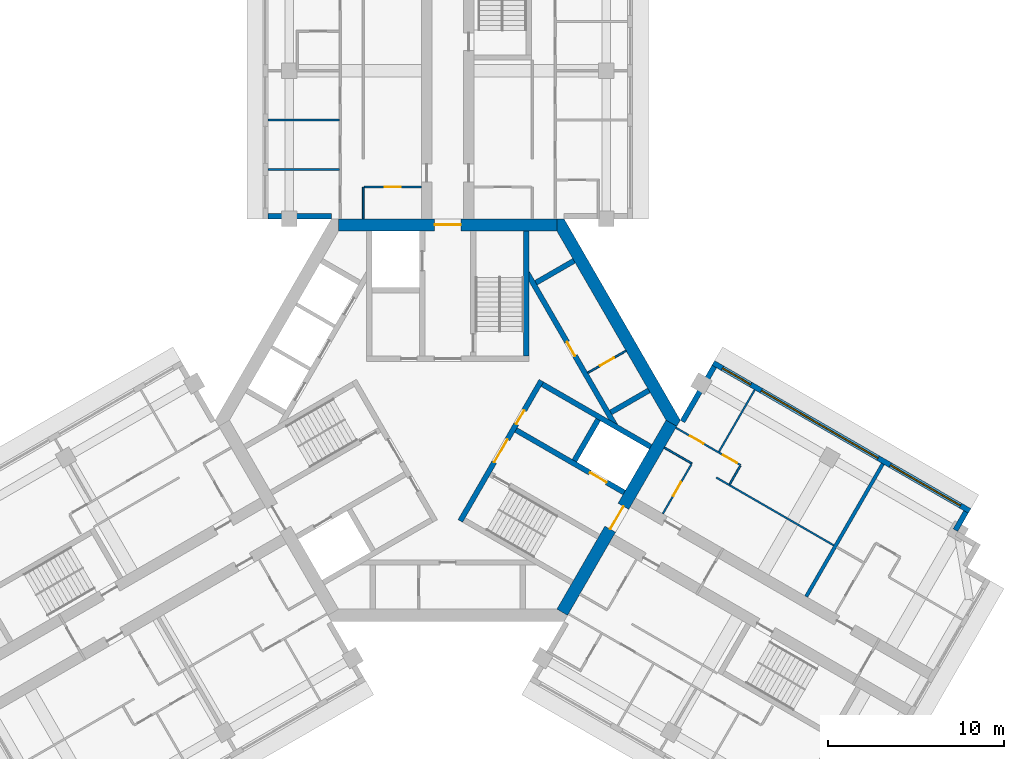
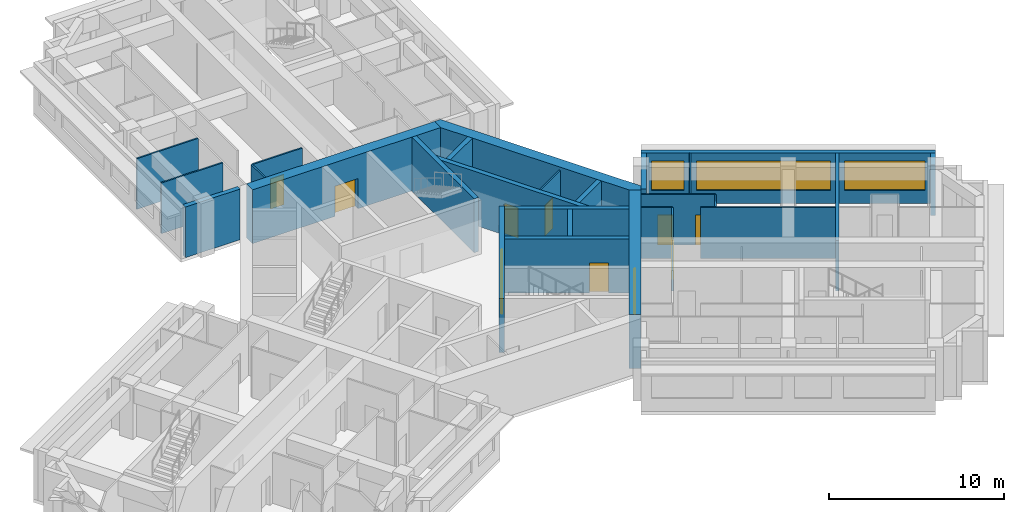
# One storey, part 6 of 10: 27 walls, 11 doors, 3 windows, 14 openings.
"""IFC4 building model written with IfcOpenShell, lengths in metres."""

from ifc_helpers import new_model, si_unit, direction, frame, frame_2d, origin, place, context, subcontext, project, spatial, polyline, rectangle, outline, extrude, material, layer, layer_set, type_object, element, fill, save


model = new_model("IFC4")

# Units and contexts
model_context = context("Model", 3, precision=1e-05, world=origin(), true_north=direction((0.0, 1.0)))
body_context = subcontext(model_context, "Body", "Model", "MODEL_VIEW")
ifc_project = project(units=[si_unit("LENGTHUNIT", "METRE"), si_unit("AREAUNIT", "SQUARE_METRE"), si_unit("VOLUMEUNIT", "CUBIC_METRE"), si_unit("PLANEANGLEUNIT", "RADIAN"), si_unit("MASSUNIT", "GRAM", prefix="KILO")], contexts=[model_context])

# Site, building, storey
site_placement = place(None, origin())
site = spatial("IfcSite", under=ifc_project, at=site_placement, CompositionType="ELEMENT")
building_placement = place(site_placement, origin())
building = spatial("IfcBuilding", under=site, at=building_placement, Name="Impinga Residences", CompositionType="ELEMENT")
storey_placement = place(building_placement, frame((0.0, 0.0, 256.0)))
storey = spatial("IfcBuildingStorey", under=building, at=storey_placement, Name="L64", CompositionType="ELEMENT", Elevation=256.0)

# Wall, opening, door
ifc_material_1 = material(Name="Concrete blockwork", Category="masonry")
ifc_layer_1 = layer(ifc_material_1, 0.10009765625)
ifc_layer_set_1 = layer_set([ifc_layer_1], Name="CP1 core room partition, blockwork 100")
wall_type_1 = type_object("IfcWallType", Name="CP1 core room partition, blockwork 100", PredefinedType="PARTITIONING", material=ifc_layer_set_1)
wall_1_placement = place(storey_placement, frame((7.95361328125, 2.686767578125, 0.0), z_axis=(0.0, 0.0, 1.0), x_axis=(0.866047370643, 0.499961950354, 0.0)))
wall_1 = element("IfcWall", 1, at=wall_1_placement, inside=storey, type_object=wall_type_1, Name="Core room partition, blockwork L64:CORE:mid:ZP1", PredefinedType="PARTITIONING", context=body_context, shape_type="SweptSolid", body=[
    extrude(rectangle(XDim=2.500244140625, YDim=0.10009765625, at=frame_2d((1.25, 0.0))), origin(), (0.0, 0.0, 1.0), 3.530029296875),
])
opening_1_placement = place(wall_1_placement, frame((0.800048828125, 0.0, 0.0)))
opening_1 = element("IfcOpeningElement", 2, at=opening_1_placement, cuts=wall_1, Name="Opening D6", PredefinedType="OPENING", context=body_context, shape_type="SweptSolid", body=[
    extrude(rectangle(XDim=0.89990234375, YDim=2.10009765625, at=frame_2d((0.449951171875, 1.050048828125))), frame((0.0, 0.06005859375, 0.0), z_axis=(0.0, -1.0, 0.0), x_axis=(1.0, 0.0, 0.0)), (0.0, 0.0, 1.0), 0.1201171875),
])
ifc_material_2 = material(Name="Timber door set", Category="wood")
door_type_1 = type_object("IfcDoorType", Name="D6 riser and store door 900x2100", OperationType="SINGLE_SWING_LEFT", PredefinedType="DOOR", material=ifc_material_2)
door_1_placement = place(opening_1_placement, origin())
door_1 = element("IfcDoor", 3, at=door_1_placement, inside=storey, type_object=door_type_1, Name="Residents' storage lockers door", OperationType="SINGLE_SWING_LEFT", OverallHeight=2.10009765625, OverallWidth=0.89990234375, PredefinedType="DOOR", context=body_context, shape_type="SweptSolid", body=[
    extrude(rectangle(XDim=0.89990234375, YDim=2.10009765625, at=frame_2d((0.449951171875, 1.050048828125))), frame((0.0, 0.02490234375, 0.0), z_axis=(0.0, -1.0, 0.0), x_axis=(1.0, 0.0, 0.0)), (0.0, 0.0, 1.0), 0.050048828125),
])
fill(opening_1, door_1)

# Walls
ifc_material_3 = material(Name="Terracotta rainscreen on blockwork", Category="masonry")
ifc_layer_2 = layer(ifc_material_3, 0.300048828125)
ifc_layer_set_2 = layer_set([ifc_layer_2], Name="EW1 external wall, terracotta rainscreen on blockwork 300")
wall_type_2 = type_object("IfcWallType", Name="EW1 external wall, terracotta rainscreen on blockwork 300", PredefinedType="SOLIDWALL", material=ifc_layer_set_2)
wall_2_placement = place(storey_placement, frame((-6.60009765625, 11.58154296875, 0.0), z_axis=(0.0, 0.0, 1.0), x_axis=(-1.0, 0.0, 0.0)))
element("IfcWall", 4, at=wall_2_placement, inside=storey, type_object=wall_type_2, Name="External wall EW1 L64", PredefinedType="SOLIDWALL", context=body_context, shape_type="SweptSolid", body=[
    extrude(rectangle(XDim=3.599853515625, YDim=0.300048828125, at=frame_2d((1.7998046875, 0.0))), origin(), (0.0, 0.0, 1.0), 3.530029296875),
])
wall_3_placement = place(storey_placement, frame((13.329833984375, -0.074951171875, 0.0), z_axis=(0.0, 0.0, 1.0), x_axis=(0.500012057535, 0.866018442252, 0.0)))
element("IfcWall", 5, at=wall_3_placement, inside=storey, type_object=wall_type_2, Name="External wall EW1 L64", PredefinedType="SOLIDWALL", context=body_context, shape_type="SweptSolid", body=[
    extrude(rectangle(XDim=3.60009765625, YDim=0.300048828125, at=frame_2d((1.800048828125, 0.0))), origin(), (0.0, 0.0, 1.0), 3.530029296875),
])

# Wall, openings, windows
wall_4_placement = place(storey_placement, frame((15.074951171875, 3.24755859375, 0.0), z_axis=(0.0, 0.0, 1.0), x_axis=(0.86602925447, -0.499993330357, 0.0)))
wall_4 = element("IfcWall", 6, at=wall_4_placement, inside=storey, type_object=wall_type_2, Name="External wall EW1 L64", PredefinedType="SOLIDWALL", context=body_context, shape_type="SweptSolid", body=[
    extrude(rectangle(XDim=16.800048828125, YDim=0.300048828125, at=frame_2d((8.39990234375, 0.0))), origin(), (0.0, 0.0, 1.0), 3.530029296875),
])
opening_2_placement = place(wall_4_placement, frame((0.60009765625, 0.0, 0.89990234375)))
opening_2 = element("IfcOpeningElement", 7, at=opening_2_placement, cuts=wall_4, Name="Opening W15", PredefinedType="OPENING", context=body_context, shape_type="SweptSolid", body=[
    extrude(rectangle(XDim=1.85009765625, YDim=2.050048828125, at=frame_2d((0.925048828125, 1.02490234375))), frame((0.0, 0.159912109375, 0.0), z_axis=(0.0, -1.0, 0.0), x_axis=(1.0, 0.0, 0.0)), (0.0, 0.0, 1.0), 0.320068359375),
])
opening_3_placement = place(wall_4_placement, frame((3.14990234375, 0.0, 0.89990234375)))
opening_3 = element("IfcOpeningElement", 8, at=opening_3_placement, cuts=wall_4, Name="Opening W13", PredefinedType="OPENING", context=body_context, shape_type="SweptSolid", body=[
    extrude(rectangle(XDim=7.64990234375, YDim=2.050048828125, at=frame_2d((3.824951171875, 1.02490234375))), frame((0.0, 0.159912109375, 0.0), z_axis=(0.0, -1.0, 0.0), x_axis=(1.0, 0.0, 0.0)), (0.0, 0.0, 1.0), 0.320068359375),
])
opening_4_placement = place(wall_4_placement, frame((11.60009765625, 0.0, 0.89990234375)))
opening_4 = element("IfcOpeningElement", 9, at=opening_4_placement, cuts=wall_4, Name="Opening W3", PredefinedType="OPENING", context=body_context, shape_type="SweptSolid", body=[
    extrude(rectangle(XDim=4.60009765625, YDim=2.050048828125, at=frame_2d((2.300048828125, 1.02490234375))), frame((0.0, 0.159912109375, 0.0), z_axis=(0.0, -1.0, 0.0), x_axis=(1.0, 0.0, 0.0)), (0.0, 0.0, 1.0), 0.320068359375),
])
ifc_material_4 = material(Name="Aluminium window, clear double glazing", Category="aluminium")
window_type_1 = type_object("IfcWindowType", Name="W13 ribbon window 7650x2050", PartitioningType="SINGLE_PANEL", PredefinedType="WINDOW", material=ifc_material_4)
window_1_placement = place(opening_3_placement, origin())
window_1 = element("IfcWindow", 10, at=window_1_placement, inside=storey, type_object=window_type_1, Name="Window L64", OverallHeight=2.050048828125, OverallWidth=7.64990234375, PartitioningType="SINGLE_PANEL", PredefinedType="WINDOW", context=body_context, shape_type="SweptSolid", body=[
    extrude(rectangle(XDim=7.64990234375, YDim=2.050048828125, at=frame_2d((3.824951171875, 1.02490234375))), frame((0.0, 0.030029296875, 0.0), z_axis=(0.0, -1.0, 0.0), x_axis=(1.0, 0.0, 0.0)), (0.0, 0.0, 1.0), 0.06005859375),
])
fill(opening_3, window_1)
window_type_2 = type_object("IfcWindowType", Name="W15 ribbon window 1850x2050", PartitioningType="SINGLE_PANEL", PredefinedType="WINDOW", material=ifc_material_4)
window_2_placement = place(opening_2_placement, origin())
window_2 = element("IfcWindow", 11, at=window_2_placement, inside=storey, type_object=window_type_2, Name="Window L64", OverallHeight=2.050048828125, OverallWidth=1.85009765625, PartitioningType="SINGLE_PANEL", PredefinedType="WINDOW", context=body_context, shape_type="SweptSolid", body=[
    extrude(rectangle(XDim=1.85009765625, YDim=2.050048828125, at=frame_2d((0.925048828125, 1.02490234375))), frame((0.0, 0.030029296875, 0.0), z_axis=(0.0, -1.0, 0.0), x_axis=(1.0, 0.0, 0.0)), (0.0, 0.0, 1.0), 0.06005859375),
])
fill(opening_2, window_2)
window_type_3 = type_object("IfcWindowType", Name="W3 ribbon window 4600x2050", PartitioningType="SINGLE_PANEL", PredefinedType="WINDOW", material=ifc_material_4)
window_3_placement = place(opening_4_placement, origin())
window_3 = element("IfcWindow", 12, at=window_3_placement, inside=storey, type_object=window_type_3, Name="Window L64", OverallHeight=2.050048828125, OverallWidth=4.60009765625, PartitioningType="SINGLE_PANEL", PredefinedType="WINDOW", context=body_context, shape_type="SweptSolid", body=[
    extrude(rectangle(XDim=4.60009765625, YDim=2.050048828125, at=frame_2d((2.300048828125, 1.02490234375))), frame((0.0, 0.030029296875, 0.0), z_axis=(0.0, -1.0, 0.0), x_axis=(1.0, 0.0, 0.0)), (0.0, 0.0, 1.0), 0.06005859375),
])
fill(opening_4, window_3)

# Walls
wall_5_placement = place(storey_placement, frame((29.41943359375, -5.207275390625, 0.0), z_axis=(0.0, 0.0, 1.0), x_axis=(-0.500033551112, -0.866006032174, 0.0)))
element("IfcWall", 13, at=wall_5_placement, inside=storey, type_object=wall_type_2, Name="External wall EW1 L64", PredefinedType="SOLIDWALL", context=body_context, shape_type="SweptSolid", body=[
    extrude(rectangle(XDim=1.2001953125, YDim=0.300048828125, at=frame_2d((0.60009765625, 0.0))), origin(), (0.0, 0.0, 1.0), 3.530029296875),
])
ifc_material_5 = material(Name="Gypsum board on steel studs", Category="steel")
ifc_layer_3 = layer(ifc_material_5, 0.10009765625)
ifc_layer_set_3 = layer_set([ifc_layer_3], Name="Gypsum board on steel studs")
wall_type_3 = type_object("IfcWallType", Name="IP1 partition 100", PredefinedType="PARTITIONING", material=ifc_layer_set_3)
wall_6_placement = place(storey_placement, frame((-4.800048828125, 11.431640625, 0.0), z_axis=(0.0, 0.0, 1.0), x_axis=(0.0, 1.0, 0.0)))
element("IfcWall", 14, at=wall_6_placement, inside=storey, type_object=wall_type_3, Name="Partition L64-NA1:DIV0", PredefinedType="PARTITIONING", context=body_context, shape_type="SweptSolid", body=[
    extrude(rectangle(XDim=1.7998046875, YDim=0.10009765625, at=frame_2d((0.89990234375, 0.0))), origin(), (0.0, 0.0, 1.0), 3.530029296875),
])

# Wall, opening, door
wall_7_placement = place(storey_placement, frame((-1.5, 13.2314453125, 0.0), z_axis=(0.0, 0.0, 1.0), x_axis=(-1.0, 0.0, 0.0)))
wall_7 = element("IfcWall", 15, at=wall_7_placement, inside=storey, type_object=wall_type_3, Name="Partition L64-NA1:IB1", PredefinedType="PARTITIONING", context=body_context, shape_type="SweptSolid", body=[
    extrude(rectangle(XDim=3.25, YDim=0.10009765625, at=frame_2d((1.625, 0.0))), origin(), (0.0, 0.0, 1.0), 3.530029296875),
])
opening_5_placement = place(wall_7_placement, frame((1.175048828125, 0.0, 0.0)))
opening_5 = element("IfcOpeningElement", 16, at=opening_5_placement, cuts=wall_7, Name="Opening D2", PredefinedType="OPENING", context=body_context, shape_type="SweptSolid", body=[
    extrude(rectangle(XDim=0.89990234375, YDim=2.10009765625, at=frame_2d((0.449951171875, 1.050048828125))), frame((0.0, 0.06005859375, 0.0), z_axis=(0.0, -1.0, 0.0), x_axis=(1.0, 0.0, 0.0)), (0.0, 0.0, 1.0), 0.1201171875),
])
door_type_2 = type_object("IfcDoorType", Name="D2 internal door 900x2100", OperationType="SINGLE_SWING_LEFT", PredefinedType="DOOR", material=ifc_material_2)
door_2_placement = place(opening_5_placement, origin())
door_2 = element("IfcDoor", 17, at=door_2_placement, inside=storey, type_object=door_type_2, Name="Apartment L64-NA1 bathroom door", OperationType="SINGLE_SWING_LEFT", OverallHeight=2.10009765625, OverallWidth=0.89990234375, PredefinedType="DOOR", context=body_context, shape_type="SweptSolid", body=[
    extrude(rectangle(XDim=0.89990234375, YDim=2.10009765625, at=frame_2d((0.449951171875, 1.050048828125))), frame((0.0, 0.02490234375, 0.0), z_axis=(0.0, -1.0, 0.0), x_axis=(1.0, 0.0, 0.0)), (0.0, 0.0, 1.0), 0.050048828125),
])
fill(opening_5, door_2)

# Walls
for number, where, z_axis, x_axis, name in (
    (18, (-6.14990234375, 14.2314453125, 0.0), (0.0, 0.0, 1.0), (-1.0, 0.0, 0.0), "Partition L64-NA1:OB1"),
    (19, (-6.14990234375, 17.031494140625, 0.0), (0.0, 0.0, 1.0), (-1.0, 0.0, 0.0), "Partition L64-NA1:OB2"),
):
    element("IfcWall", number, at=place(storey_placement, frame(where, z_axis=z_axis, x_axis=x_axis)), inside=storey, type_object=wall_type_3, Name=name, PredefinedType="PARTITIONING", context=body_context, shape_type="SweptSolid", body=[
        extrude(rectangle(XDim=4.050048828125, YDim=0.10009765625, at=frame_2d((2.02490234375, 0.0))), origin(), (0.0, 0.0, 1.0), 3.530029296875),
    ])
wall_8_placement = place(storey_placement, frame((12.300048828125, -1.558837890625, 0.0), z_axis=(0.0, 0.0, 1.0), x_axis=(0.866047807691, -0.499961193289, 0.0)))
element("IfcWall", 20, at=wall_8_placement, inside=storey, type_object=wall_type_3, Name="Partition L64-EA1:DIV0", PredefinedType="PARTITIONING", context=body_context, shape_type="SweptSolid", body=[
    extrude(rectangle(XDim=1.800048828125, YDim=0.10009765625, at=frame_2d((0.89990234375, 0.0))), origin(), (0.0, 0.0, 1.0), 3.530029296875),
])
wall_9_placement = place(storey_placement, frame((15.244384765625, -3.2587890625, 0.0), z_axis=(0.0, 0.0, 1.0), x_axis=(0.866021906294, -0.500006057782, 0.0)))
element("IfcWall", 21, at=wall_9_placement, inside=storey, type_object=wall_type_3, Name="Partition L64-EA1:DIV1", PredefinedType="PARTITIONING", context=body_context, shape_type="SweptSolid", body=[
    extrude(rectangle(XDim=7.7001953125, YDim=0.10009765625, at=frame_2d((3.85009765625, 0.0))), origin(), (0.0, 0.0, 1.0), 3.530029296875),
])

# Wall, openings, doors
wall_10_placement = place(storey_placement, frame((12.949951171875, -0.43310546875, 0.0), z_axis=(0.0, 0.0, 1.0), x_axis=(0.866028703517, -0.499994284652, 0.0)))
wall_10 = element("IfcWall", 22, at=wall_10_placement, inside=storey, type_object=wall_type_3, Name="Partition L64-EA1:STRIP", PredefinedType="PARTITIONING", context=body_context, shape_type="SweptSolid", body=[
    extrude(rectangle(XDim=4.25, YDim=0.10009765625, at=frame_2d((2.125, 0.0))), origin(), (0.0, 0.0, 1.0), 3.530029296875),
])
opening_6_placement = place(wall_10_placement, frame((0.925048828125, 0.0, 0.0)))
opening_6 = element("IfcOpeningElement", 23, at=opening_6_placement, cuts=wall_10, Name="Opening D2", PredefinedType="OPENING", context=body_context, shape_type="SweptSolid", body=[
    extrude(rectangle(XDim=0.89990234375, YDim=2.10009765625, at=frame_2d((0.449951171875, 1.050048828125))), frame((0.0, 0.06005859375, 0.0), z_axis=(0.0, -1.0, 0.0), x_axis=(1.0, 0.0, 0.0)), (0.0, 0.0, 1.0), 0.1201171875),
])
opening_7_placement = place(wall_10_placement, frame((3.10009765625, 0.0, 0.0)))
opening_7 = element("IfcOpeningElement", 24, at=opening_7_placement, cuts=wall_10, Name="Opening D2", PredefinedType="OPENING", context=body_context, shape_type="SweptSolid", body=[
    extrude(rectangle(XDim=0.89990234375, YDim=2.10009765625, at=frame_2d((0.449951171875, 1.050048828125))), frame((0.0, 0.06005859375, 0.0), z_axis=(0.0, -1.0, 0.0), x_axis=(1.0, 0.0, 0.0)), (0.0, 0.0, 1.0), 0.1201171875),
])
door_3_placement = place(opening_6_placement, origin())
door_3 = element("IfcDoor", 25, at=door_3_placement, inside=storey, type_object=door_type_2, Name="Apartment L64-EA1 room door", OperationType="SINGLE_SWING_LEFT", OverallHeight=2.10009765625, OverallWidth=0.89990234375, PredefinedType="DOOR", context=body_context, shape_type="SweptSolid", body=[
    extrude(rectangle(XDim=0.89990234375, YDim=2.10009765625, at=frame_2d((0.449951171875, 1.050048828125))), frame((0.0, 0.02490234375, 0.0), z_axis=(0.0, -1.0, 0.0), x_axis=(1.0, 0.0, 0.0)), (0.0, 0.0, 1.0), 0.050048828125),
])
fill(opening_6, door_3)
door_4_placement = place(opening_7_placement, origin())
door_4 = element("IfcDoor", 26, at=door_4_placement, inside=storey, type_object=door_type_2, Name="Apartment L64-EA1 room door", OperationType="SINGLE_SWING_RIGHT", OverallHeight=2.10009765625, OverallWidth=0.89990234375, PredefinedType="DOOR", context=body_context, shape_type="SweptSolid", body=[
    extrude(rectangle(XDim=0.89990234375, YDim=2.10009765625, at=frame_2d((0.449951171875, 1.050048828125))), frame((0.0, 0.02490234375, 0.0), z_axis=(0.0, -1.0, 0.0), x_axis=(1.0, 0.0, 0.0)), (0.0, 0.0, 1.0), 0.050048828125),
])
fill(opening_7, door_4)

# Wall
wall_11_placement = place(storey_placement, frame((16.005615234375, -3.640625, 0.0), z_axis=(0.0, 0.0, 1.0), x_axis=(0.500033551112, 0.866006032174, 0.0)))
element("IfcWall", 27, at=wall_11_placement, inside=storey, type_object=wall_type_3, Name="Partition L64-EA1:SE1", PredefinedType="PARTITIONING", context=body_context, shape_type="SweptSolid", body=[
    extrude(rectangle(XDim=1.2001953125, YDim=0.10009765625, at=frame_2d((0.60009765625, 0.0))), origin(), (0.0, 0.0, 1.0), 3.530029296875),
])

# Wall, opening, door
wall_12_placement = place(storey_placement, frame((12.208740234375, -5.316650390625, 0.0), z_axis=(0.0, 0.0, 1.0), x_axis=(0.500017246033, 0.866015446554, 0.0)))
wall_12 = element("IfcWall", 28, at=wall_12_placement, inside=storey, type_object=wall_type_3, Name="Partition L64-EA1:IB1", PredefinedType="PARTITIONING", context=body_context, shape_type="SweptSolid", body=[
    extrude(rectangle(XDim=3.25, YDim=0.10009765625, at=frame_2d((1.625, 0.0))), origin(), (0.0, 0.0, 1.0), 3.530029296875),
])
opening_8_placement = place(wall_12_placement, frame((1.175048828125, 0.0, 0.0)))
opening_8 = element("IfcOpeningElement", 29, at=opening_8_placement, cuts=wall_12, Name="Opening D2", PredefinedType="OPENING", context=body_context, shape_type="SweptSolid", body=[
    extrude(rectangle(XDim=0.89990234375, YDim=2.10009765625, at=frame_2d((0.449951171875, 1.050048828125))), frame((0.0, 0.06005859375, 0.0), z_axis=(0.0, -1.0, 0.0), x_axis=(1.0, 0.0, 0.0)), (0.0, 0.0, 1.0), 0.1201171875),
])
door_5_placement = place(opening_8_placement, origin())
door_5 = element("IfcDoor", 30, at=door_5_placement, inside=storey, type_object=door_type_2, Name="Apartment L64-EA1 bathroom door", OperationType="SINGLE_SWING_LEFT", OverallHeight=2.10009765625, OverallWidth=0.89990234375, PredefinedType="DOOR", context=body_context, shape_type="SweptSolid", body=[
    extrude(rectangle(XDim=0.89990234375, YDim=2.10009765625, at=frame_2d((0.449951171875, 1.050048828125))), frame((0.0, 0.02490234375, 0.0), z_axis=(0.0, -1.0, 0.0), x_axis=(1.0, 0.0, 0.0)), (0.0, 0.0, 1.0), 0.050048828125),
])
fill(opening_8, door_5)

# Walls
wall_13_placement = place(storey_placement, frame((15.39990234375, -1.789794921875, 0.0), z_axis=(0.0, 0.0, 1.0), x_axis=(0.499964223975, 0.866046058097, 0.0)))
element("IfcWall", 31, at=wall_13_placement, inside=storey, type_object=wall_type_3, Name="Partition L64-EA1:OB1", PredefinedType="PARTITIONING", context=body_context, shape_type="SweptSolid", body=[
    extrude(rectangle(XDim=4.050048828125, YDim=0.10009765625, at=frame_2d((2.02490234375, 0.0))), origin(), (0.0, 0.0, 1.0), 3.530029296875),
])
ifc_layer_4 = layer(ifc_material_1, 0.199951171875)
ifc_layer_set_4 = layer_set([ifc_layer_4], Name="PW1 party wall between apartments 200")
wall_type_4 = type_object("IfcWallType", Name="PW1 party wall between apartments 200", PredefinedType="SOLIDWALL", material=ifc_layer_set_4)
wall_14_placement = place(storey_placement, frame((20.349365234375, -10.016845703125, 0.0), z_axis=(0.0, 0.0, 1.0), x_axis=(0.500008278454, 0.866020624164, 0.0)))
element("IfcWall", 32, at=wall_14_placement, inside=storey, type_object=wall_type_4, Name="Party wall between apartments L64-EA1:PARTY", PredefinedType="SOLIDWALL", context=body_context, shape_type="SweptSolid", body=[
    extrude(rectangle(XDim=8.699951171875, YDim=0.199951171875, at=frame_2d((4.35009765625, 0.0))), origin(), (0.0, 0.0, 1.0), 3.530029296875),
])

# Wall, opening, door
ifc_material_6 = material(Name="Concrete C60/75", Category="concrete")
ifc_layer_5 = layer(ifc_material_6, 0.699951171875)
ifc_layer_set_5 = layer_set([ifc_layer_5], Name="Concrete C60/75")
wall_type_5 = type_object("IfcWallType", Name="SW3 core wall 700", PredefinedType="SHEAR", material=ifc_layer_set_5)
wall_15_placement = place(storey_placement, frame((-6.19580078125, 11.08154296875, 0.0), z_axis=(0.0, 0.0, 1.0), x_axis=(1.0, 0.0, 0.0)))
wall_15 = element("IfcWall", 33, at=wall_15_placement, inside=storey, type_object=wall_type_5, Name="Core wall SW3 N:FACE L64", PredefinedType="SHEAR", context=body_context, shape_type="SweptSolid", body=[
    extrude(rectangle(XDim=12.3916015625, YDim=0.699951171875, at=frame_2d((6.19580078125, 0.0))), origin(), (0.0, 0.0, 1.0), 3.75),
])
opening_9_placement = place(wall_15_placement, frame((5.44580078125, 0.0, 0.0)))
opening_9 = element("IfcOpeningElement", 34, at=opening_9_placement, cuts=wall_15, Name="Opening D4", PredefinedType="OPENING", context=body_context, shape_type="SweptSolid", body=[
    extrude(rectangle(XDim=1.5, YDim=2.10009765625, at=frame_2d((0.75, 1.050048828125))), frame((0.0, 0.35986328125, 0.0), z_axis=(0.0, -1.0, 0.0), x_axis=(1.0, 0.0, 0.0)), (0.0, 0.0, 1.0), 0.719970703125),
])
door_type_3 = type_object("IfcDoorType", Name="D4 lobby door pair 1500x2100", OperationType="DOUBLE_DOOR_DOUBLE_SWING", PredefinedType="DOOR", material=ifc_material_2)
door_6_placement = place(opening_9_placement, origin())
door_6 = element("IfcDoor", 35, at=door_6_placement, inside=storey, type_object=door_type_3, Name="Lobby door N", OperationType="DOUBLE_DOOR_DOUBLE_SWING", OverallHeight=2.10009765625, OverallWidth=1.5, PredefinedType="DOOR", context=body_context, shape_type="SweptSolid", body=[
    extrude(rectangle(XDim=1.5, YDim=2.10009765625, at=frame_2d((0.75, 1.050048828125))), frame((0.0, 0.02490234375, 0.0), z_axis=(0.0, -1.0, 0.0), x_axis=(1.0, 0.0, 0.0)), (0.0, 0.0, 1.0), 0.050048828125),
])
fill(opening_9, door_6)

wall_16_placement = place(storey_placement, frame((12.69482421875, -0.175048828125, 0.0), z_axis=(0.0, 0.0, 1.0), x_axis=(-0.499999875397, -0.866025475724, 0.0)))
wall_16 = element("IfcWall", 36, at=wall_16_placement, inside=storey, type_object=wall_type_5, Name="Core wall SW3 E:FACE L64", PredefinedType="SHEAR", context=body_context, shape_type="SweptSolid", body=[
    extrude(rectangle(XDim=12.3916015625, YDim=0.699951171875, at=frame_2d((6.19580078125, 0.0))), origin(), (0.0, 0.0, 1.0), 3.75),
])
opening_10_placement = place(wall_16_placement, frame((5.44580078125, 0.0, 0.0)))
opening_10 = element("IfcOpeningElement", 37, at=opening_10_placement, cuts=wall_16, Name="Opening D4", PredefinedType="OPENING", context=body_context, shape_type="SweptSolid", body=[
    extrude(rectangle(XDim=1.5, YDim=2.10009765625, at=frame_2d((0.75, 1.050048828125))), frame((0.0, 0.35986328125, 0.0), z_axis=(0.0, -1.0, 0.0), x_axis=(1.0, 0.0, 0.0)), (0.0, 0.0, 1.0), 0.719970703125),
])
door_7_placement = place(opening_10_placement, origin())
door_7 = element("IfcDoor", 38, at=door_7_placement, inside=storey, type_object=door_type_3, Name="Lobby door E", OperationType="DOUBLE_DOOR_DOUBLE_SWING", OverallHeight=2.10009765625, OverallWidth=1.5, PredefinedType="DOOR", context=body_context, shape_type="SweptSolid", body=[
    extrude(rectangle(XDim=1.5, YDim=2.10009765625, at=frame_2d((0.75, 1.050048828125))), frame((0.0, 0.02490234375, 0.0), z_axis=(0.0, -1.0, 0.0), x_axis=(1.0, 0.0, 0.0)), (0.0, 0.0, 1.0), 0.050048828125),
])
fill(opening_10, door_7)

# Walls
wall_17_placement = place(storey_placement, origin())
element("IfcWall", 39, at=wall_17_placement, inside=storey, type_object=wall_type_5, Name="Core wall SW3 W:EXPOSED L64", PredefinedType="SHEAR", context=body_context, shape_type="SweptSolid", body=[
    extrude(outline(polyline([(13.199951171875, 0.0), (6.60009765625, 11.431640625), (6.19580078125, 11.431640625), (6.19580078125, 10.7314453125), (12.3916015625, 0.0), (12.998046875, -0.35009765625), (13.199951171875, 0.0)])), origin(), (0.0, 0.0, 1.0), 3.75),
])
ifc_material_7 = material(Name="Concrete C70/85", Category="concrete")
ifc_layer_6 = layer(ifc_material_7, 0.300048828125)
ifc_layer_set_6 = layer_set([ifc_layer_6], Name="Concrete C70/85")
wall_type_6 = type_object("IfcWallType", Name="SW5 core inner wall, stairs, shafts and lobbies 300", PredefinedType="SHEAR", material=ifc_layer_set_6)
wall_18_placement = place(storey_placement, frame((4.449951171875, 3.6298828125, 0.0), z_axis=(0.0, 0.0, 1.0), x_axis=(0.0, 1.0, 0.0)))
element("IfcWall", 40, at=wall_18_placement, inside=storey, type_object=wall_type_6, Name="Core wall SW5 N:ST-OUT L64", PredefinedType="SHEAR", context=body_context, shape_type="SweptSolid", body=[
    extrude(rectangle(XDim=7.1015625, YDim=0.300048828125, at=frame_2d((3.55078125, 0.0))), origin(), (0.0, 0.0, 1.0), 3.75),
])

# Wall, openings, doors
wall_19_placement = place(storey_placement, frame((5.313720703125, 2.24365234375, 0.0), z_axis=(0.0, 0.0, 1.0), x_axis=(-0.499995050369, -0.866028261437, 0.0)))
wall_19 = element("IfcWall", 41, at=wall_19_placement, inside=storey, type_object=wall_type_6, Name="Core wall SW5 E:ZONE L64", PredefinedType="SHEAR", context=body_context, shape_type="SweptSolid", body=[
    extrude(rectangle(XDim=9.19970703125, YDim=0.300048828125, at=frame_2d((4.599853515625, 0.0))), origin(), (0.0, 0.0, 1.0), 3.75),
])
opening_11_placement = place(wall_19_placement, frame((3.85009765625, 0.0, 0.0)))
opening_11 = element("IfcOpeningElement", 42, at=opening_11_placement, cuts=wall_19, Name="Opening D4", PredefinedType="OPENING", context=body_context, shape_type="SweptSolid", body=[
    extrude(rectangle(XDim=1.5, YDim=2.10009765625, at=frame_2d((0.75, 1.050048828125))), frame((0.0, 0.159912109375, 0.0), z_axis=(0.0, -1.0, 0.0), x_axis=(1.0, 0.0, 0.0)), (0.0, 0.0, 1.0), 0.320068359375),
])
opening_12_placement = place(wall_19_placement, frame((1.949951171875, 0.0, 0.0)))
opening_12 = element("IfcOpeningElement", 43, at=opening_12_placement, cuts=wall_19, Name="Opening D6", PredefinedType="OPENING", context=body_context, shape_type="SweptSolid", body=[
    extrude(rectangle(XDim=0.89990234375, YDim=2.10009765625, at=frame_2d((0.449951171875, 1.050048828125))), frame((0.0, 0.159912109375, 0.0), z_axis=(0.0, -1.0, 0.0), x_axis=(1.0, 0.0, 0.0)), (0.0, 0.0, 1.0), 0.320068359375),
])
door_8_placement = place(opening_11_placement, origin())
door_8 = element("IfcDoor", 44, at=door_8_placement, inside=storey, type_object=door_type_3, Name="Firefighting lobby door E", OperationType="DOUBLE_DOOR_DOUBLE_SWING", OverallHeight=2.10009765625, OverallWidth=1.5, PredefinedType="DOOR", context=body_context, shape_type="SweptSolid", body=[
    extrude(rectangle(XDim=1.5, YDim=2.10009765625, at=frame_2d((0.75, 1.050048828125))), frame((0.0, 0.02490234375, 0.0), z_axis=(0.0, -1.0, 0.0), x_axis=(1.0, 0.0, 0.0)), (0.0, 0.0, 1.0), 0.050048828125),
])
fill(opening_11, door_8)
door_9_placement = place(opening_12_placement, origin())
door_9 = element("IfcDoor", 45, at=door_9_placement, inside=storey, type_object=door_type_1, Name="Riser door E", OperationType="SINGLE_SWING_LEFT", OverallHeight=2.10009765625, OverallWidth=0.89990234375, PredefinedType="DOOR", context=body_context, shape_type="SweptSolid", body=[
    extrude(rectangle(XDim=0.89990234375, YDim=2.10009765625, at=frame_2d((0.449951171875, 1.050048828125))), frame((0.0, 0.02490234375, 0.0), z_axis=(0.0, -1.0, 0.0), x_axis=(1.0, 0.0, 0.0)), (0.0, 0.0, 1.0), 0.050048828125),
])
fill(opening_12, door_9)

# Wall, opening, door
wall_20_placement = place(storey_placement, frame((3.86865234375, -0.559326171875, 0.0), z_axis=(0.0, 0.0, 1.0), x_axis=(0.866025859768, -0.499999210213, 0.0)))
wall_20 = element("IfcWall", 46, at=wall_20_placement, inside=storey, type_object=wall_type_6, Name="Core wall SW5 E:FF-IN L64", PredefinedType="SHEAR", context=body_context, shape_type="SweptSolid", body=[
    extrude(rectangle(XDim=7.1015625, YDim=0.300048828125, at=frame_2d((3.55078125, 0.0))), origin(), (0.0, 0.0, 1.0), 3.75),
])
opening_13_placement = place(wall_20_placement, frame((4.85009765625, 0.0, 0.0)))
opening_13 = element("IfcOpeningElement", 47, at=opening_13_placement, cuts=wall_20, Name="Opening LD2", PredefinedType="OPENING", context=body_context, shape_type="SweptSolid", body=[
    extrude(rectangle(XDim=1.10009765625, YDim=2.10009765625, at=frame_2d((0.550048828125, 1.050048828125))), frame((0.0, 0.159912109375, 0.0), z_axis=(0.0, -1.0, 0.0), x_axis=(1.0, 0.0, 0.0)), (0.0, 0.0, 1.0), 0.320068359375),
])
ifc_material_8 = material(Name="Steel lift landing door", Category="steel")
door_type_4 = type_object("IfcDoorType", Name="LD2 firefighting lift landing door 1100x2100", OperationType="DOUBLE_DOOR_SLIDING", PredefinedType="DOOR", material=ifc_material_8)
door_10_placement = place(opening_13_placement, origin())
door_10 = element("IfcDoor", 48, at=door_10_placement, inside=storey, type_object=door_type_4, Name="Firefighting lift landing door F3", OperationType="DOUBLE_DOOR_SLIDING", OverallHeight=2.10009765625, OverallWidth=1.10009765625, PredefinedType="DOOR", context=body_context, shape_type="SweptSolid", body=[
    extrude(rectangle(XDim=1.10009765625, YDim=2.10009765625, at=frame_2d((0.550048828125, 1.050048828125))), frame((0.0, 0.02490234375, 0.0), z_axis=(0.0, -1.0, 0.0), x_axis=(1.0, 0.0, 0.0)), (0.0, 0.0, 1.0), 0.050048828125),
])
fill(opening_13, door_10)

# Walls
wall_21_placement = place(storey_placement, frame((5.36865234375, 2.038818359375, 0.0), z_axis=(0.0, 0.0, 1.0), x_axis=(0.866025859768, -0.499999210213, 0.0)))
element("IfcWall", 49, at=wall_21_placement, inside=storey, type_object=wall_type_6, Name="Core wall SW5 E:FF-OUT L64", PredefinedType="SHEAR", context=body_context, shape_type="SweptSolid", body=[
    extrude(rectangle(XDim=7.1015625, YDim=0.300048828125, at=frame_2d((3.55078125, 0.0))), origin(), (0.0, 0.0, 1.0), 3.75),
])
wall_22_placement = place(storey_placement, frame((8.541259765625, 0.033935546875, 0.0), z_axis=(0.0, 0.0, 1.0), x_axis=(-0.50000943426, -0.866019956843, 0.0)))
element("IfcWall", 50, at=wall_22_placement, inside=storey, type_object=wall_type_6, Name="Core wall SW5 E:FF-RS L64", PredefinedType="SHEAR", context=body_context, shape_type="SweptSolid", body=[
    extrude(rectangle(XDim=2.7001953125, YDim=0.300048828125, at=frame_2d((1.35009765625, 0.0))), origin(), (0.0, 0.0, 1.0), 3.75),
])

# Wall, opening, door
wall_23_placement = place(storey_placement, frame((4.449951171875, 8.455322265625, 0.0), z_axis=(0.0, 0.0, 1.0), x_axis=(0.500002290144, -0.866024081565, 0.0)))
wall_23 = element("IfcWall", 51, at=wall_23_placement, inside=storey, type_object=wall_type_6, Name="Core wall SW5 W:BANK-FRONT L64", PredefinedType="SHEAR", context=body_context, shape_type="SweptSolid", body=[
    extrude(rectangle(XDim=10.1953125, YDim=0.300048828125, at=frame_2d((5.09765625, 0.0))), origin(), (0.0, 0.0, 1.0), 3.75),
])
opening_14_placement = place(wall_23_placement, frame((4.647705078125, 0.0, 0.0)))
opening_14 = element("IfcOpeningElement", 52, at=opening_14_placement, cuts=wall_23, Name="Opening D6", PredefinedType="OPENING", context=body_context, shape_type="SweptSolid", body=[
    extrude(rectangle(XDim=0.89990234375, YDim=2.10009765625, at=frame_2d((0.449951171875, 1.050048828125))), frame((0.0, 0.159912109375, 0.0), z_axis=(0.0, -1.0, 0.0), x_axis=(1.0, 0.0, 0.0)), (0.0, 0.0, 1.0), 0.320068359375),
])
door_11_placement = place(opening_14_placement, origin())
door_11 = element("IfcDoor", 53, at=door_11_placement, inside=storey, type_object=door_type_1, Name="Residents' study door", OperationType="SINGLE_SWING_RIGHT", OverallHeight=2.10009765625, OverallWidth=0.89990234375, PredefinedType="DOOR", context=body_context, shape_type="SweptSolid", body=[
    extrude(rectangle(XDim=0.89990234375, YDim=2.10009765625, at=frame_2d((0.449951171875, 1.050048828125))), frame((0.0, 0.02490234375, 0.0), z_axis=(0.0, -1.0, 0.0), x_axis=(1.0, 0.0, 0.0)), (0.0, 0.0, 1.0), 0.050048828125),
])
fill(opening_14, door_11)

# Walls
for number, where, z_axis, x_axis, name in (
    (54, (5.003662109375, 7.79638671875, 0.0), (0.0, 0.0, 1.0), (0.866022959057, 0.500004234368, 0.0), "Core wall SW5 W:BANK-L L64"),
    (55, (9.253662109375, 0.43505859375, 0.0), (0.0, 0.0, 1.0), (0.866022959057, 0.500004234368, 0.0), "Core wall SW5 W:BANK-R L64"),
):
    element("IfcWall", number, at=place(storey_placement, frame(where, z_axis=z_axis, x_axis=x_axis)), inside=storey, type_object=wall_type_6, Name=name, PredefinedType="SHEAR", context=body_context, shape_type="SweptSolid", body=[
        extrude(rectangle(XDim=2.5, YDim=0.300048828125, at=frame_2d((1.25, 0.0))), origin(), (0.0, 0.0, 1.0), 3.75),
    ])

save(model, "model.ifc")
